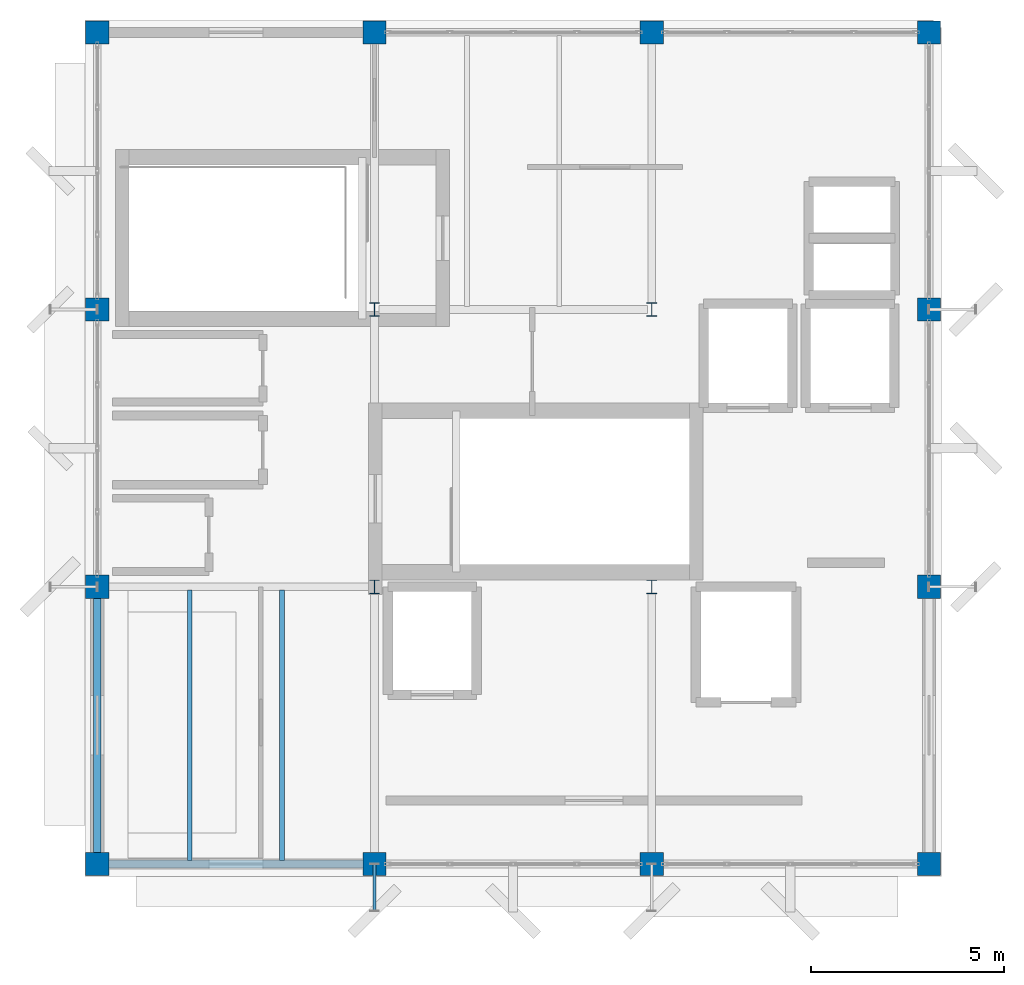
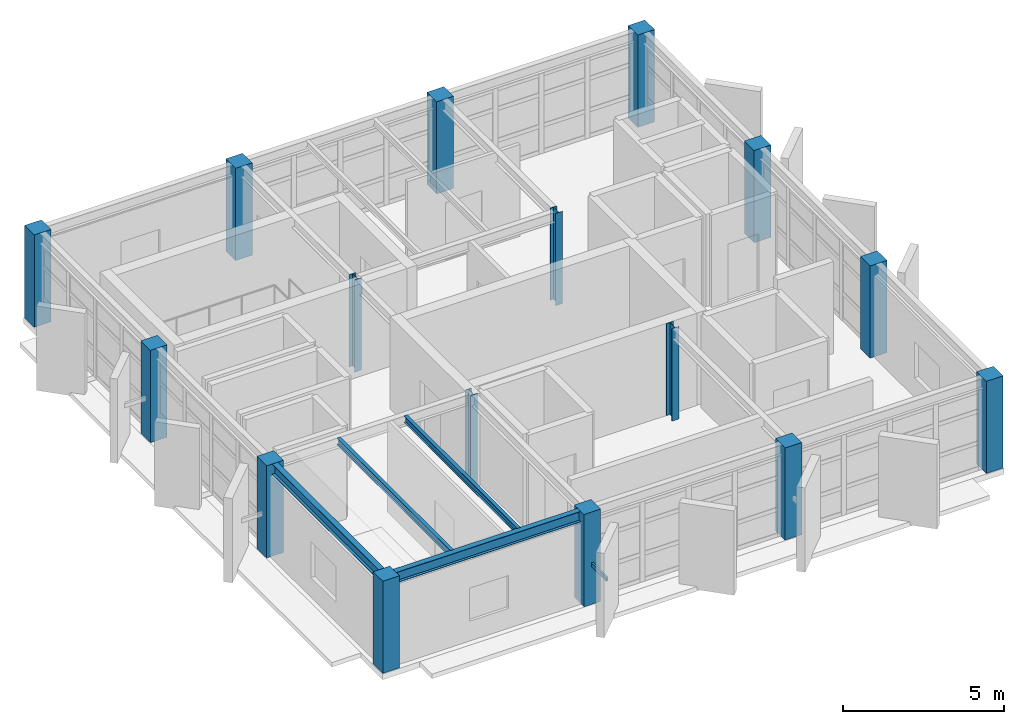
# One storey, part 1 of 13: 16 columns, 4 beams, 1 member.
"""IFC4 building model written with IfcOpenShell, lengths in metres."""

from ifc_helpers import new_model, si_unit, direction, frame, origin, origin_2d, place, context, subcontext, project, spatial, rectangle, hollow_rectangle, i_section, extrude, material, material_profile, profile_set, type_object, element, save


model = new_model("IFC4")

# Units and contexts
model_context = context("Model", 3, precision=1e-05, world=origin(), true_north=direction((0.0, 1.0)))
body_context = subcontext(model_context, "Body", "Model", "MODEL_VIEW")
ifc_project = project(units=[si_unit("LENGTHUNIT", "METRE"), si_unit("AREAUNIT", "SQUARE_METRE"), si_unit("VOLUMEUNIT", "CUBIC_METRE"), si_unit("PLANEANGLEUNIT", "RADIAN"), si_unit("MASSUNIT", "GRAM", prefix="KILO")], contexts=[model_context])

# Site, building, storey
site_placement = place(None, origin())
site = spatial("IfcSite", under=ifc_project, at=site_placement, CompositionType="ELEMENT")
building_placement = place(site_placement, origin())
building = spatial("IfcBuilding", under=site, at=building_placement, Name="Kandorven Conservatory and Botanical Research Centre", CompositionType="ELEMENT")
storey_placement = place(building_placement, frame((0.0, 0.0, 63.14990234375)))
storey = spatial("IfcBuildingStorey", under=building, at=storey_placement, Name="L16", CompositionType="ELEMENT", Elevation=63.14990234375)

# Columns
ifc_material_1 = material(Name="Steel S355 (IS 2062 E350)", Category="steel")
ifc_material_profile_1 = material_profile(ifc_material_1, i_section(OverallWidth=0.25, OverallDepth=0.35009765625, WebThickness=0.010009765625, FlangeThickness=0.01171875, at=origin_2d()))
ifc_profile_set_1 = profile_set([ifc_material_profile_1], Name="Steel S355 (IS 2062 E350)")
column_type_1 = type_object("IfcColumnType", Name="Col_SC-03", PredefinedType="COLUMN", material=ifc_profile_set_1)
for number, where, z_axis, x_axis, name in (
    (1, (13.199951171875, 13.199951171875, 0.0), (0.0, 0.0, 1.0), (1.0, 0.0, 0.0), "Column SC-03 TWR L16 (2,2)"),
    (2, (13.199951171875, 20.39990234375, 0.0), (0.0, 0.0, 1.0), (1.0, 0.0, 0.0), "Column SC-03 TWR L16 (2,3)"),
    (3, (20.39990234375, 13.199951171875, 0.0), (0.0, 0.0, 1.0), (1.0, 0.0, 0.0), "Column SC-03 TWR L16 (3,2)"),
    (4, (20.39990234375, 20.39990234375, 0.0), (0.0, 0.0, 1.0), (1.0, 0.0, 0.0), "Column SC-03 TWR L16 (3,3)"),
):
    element("IfcColumn", number, at=place(storey_placement, frame(where, z_axis=z_axis, x_axis=x_axis)), inside=storey, type_object=column_type_1, Name=name, PredefinedType="COLUMN", context=body_context, shape_type="SweptSolid", body=[
        extrude(i_section(OverallWidth=0.25, OverallDepth=0.35009765625, WebThickness=0.010009765625, FlangeThickness=0.01171875, at=origin_2d()), origin(), (0.0, 0.0, 1.0), 3.489990234375),
    ])
ifc_material_2 = material(Name="Concrete C40/50 (M50)", Category="concrete")
ifc_material_profile_2 = material_profile(ifc_material_2, rectangle(XDim=0.60009765625, YDim=0.60009765625, at=origin_2d()))
ifc_profile_set_2 = profile_set([ifc_material_profile_2], Name="Concrete C40/50 (M50)")
column_type_2 = type_object("IfcColumnType", Name="Col_TC-04", PredefinedType="COLUMN", material=ifc_profile_set_2)
for number, where, z_axis, x_axis, name in (
    (5, (6.0, 6.0, 0.0), (0.0, 0.0, 1.0), (1.0, 0.0, 0.0), "Column TC-04 TWR L16 (1,1)"),
    (6, (6.0, 13.199951171875, 0.0), (0.0, 0.0, 1.0), (1.0, 0.0, 0.0), "Column TC-04 TWR L16 (1,2)"),
    (7, (6.0, 20.39990234375, 0.0), (0.0, 0.0, 1.0), (1.0, 0.0, 0.0), "Column TC-04 TWR L16 (1,3)"),
    (8, (6.0, 27.60009765625, 0.0), (0.0, 0.0, 1.0), (1.0, 0.0, 0.0), "Column TC-04 TWR L16 (1,4)"),
    (9, (13.199951171875, 6.0, 0.0), (0.0, 0.0, 1.0), (1.0, 0.0, 0.0), "Column TC-04 TWR L16 (2,1)"),
    (10, (13.199951171875, 27.60009765625, 0.0), (0.0, 0.0, 1.0), (1.0, 0.0, 0.0), "Column TC-04 TWR L16 (2,4)"),
    (11, (20.39990234375, 6.0, 0.0), (0.0, 0.0, 1.0), (1.0, 0.0, 0.0), "Column TC-04 TWR L16 (3,1)"),
    (12, (20.39990234375, 27.60009765625, 0.0), (0.0, 0.0, 1.0), (1.0, 0.0, 0.0), "Column TC-04 TWR L16 (3,4)"),
    (13, (27.60009765625, 6.0, 0.0), (0.0, 0.0, 1.0), (1.0, 0.0, 0.0), "Column TC-04 TWR L16 (4,1)"),
    (14, (27.60009765625, 13.199951171875, 0.0), (0.0, 0.0, 1.0), (1.0, 0.0, 0.0), "Column TC-04 TWR L16 (4,2)"),
    (15, (27.60009765625, 20.39990234375, 0.0), (0.0, 0.0, 1.0), (1.0, 0.0, 0.0), "Column TC-04 TWR L16 (4,3)"),
    (16, (27.60009765625, 27.60009765625, 0.0), (0.0, 0.0, 1.0), (1.0, 0.0, 0.0), "Column TC-04 TWR L16 (4,4)"),
):
    element("IfcColumn", number, at=place(storey_placement, frame(where, z_axis=z_axis, x_axis=x_axis)), inside=storey, type_object=column_type_2, Name=name, PredefinedType="COLUMN", context=body_context, shape_type="SweptSolid", body=[
        extrude(rectangle(XDim=0.60009765625, YDim=0.60009765625, at=origin_2d()), origin(), (0.0, 0.0, 1.0), 3.489990234375),
    ])

# Beams
ifc_material_3 = material(Name="Steel S355 (IS 2062 E350)", Category="steel")
ifc_material_profile_3 = material_profile(ifc_material_3, i_section(OverallWidth=0.199951171875, OverallDepth=0.39990234375, WebThickness=0.008544921875, FlangeThickness=0.012939453125, at=origin_2d()))
ifc_profile_set_3 = profile_set([ifc_material_profile_3], Name="Steel S355 (IS 2062 E350)")
beam_type_1 = type_object("IfcBeamType", Name="Beam_FG-03", PredefinedType="USERDEFINED", material=ifc_profile_set_3)
for number, where, z_axis, x_axis, name in (
    (17, (6.2900390625, 6.0, 3.2900390625), (1.0, 0.0, 0.0), (0.0, 1.0, 0.0), "Primary girder FG-03 TWR L16"),
    (18, (6.0, 6.2900390625, 3.2900390625), (0.0, 1.0, 0.0), (-1.0, 0.0, 0.0), "Primary girder FG-03 TWR L16"),
):
    element("IfcBeam", number, at=place(storey_placement, frame(where, z_axis=z_axis, x_axis=x_axis)), inside=storey, type_object=beam_type_1, Name=name, ObjectType="GIRDER", PredefinedType="USERDEFINED", context=body_context, shape_type="SweptSolid", body=[
        extrude(i_section(OverallWidth=0.199951171875, OverallDepth=0.39990234375, WebThickness=0.008544921875, FlangeThickness=0.012939453125, at=origin_2d()), origin(), (0.0, 0.0, 1.0), 6.619873046875),
    ])
ifc_material_4 = material(Name="Steel S355 (IS 2062 E350)", Category="steel")
ifc_material_profile_4 = material_profile(ifc_material_4, i_section(OverallWidth=0.125, OverallDepth=0.25, WebThickness=0.0068359375, FlangeThickness=0.012451171875, at=origin_2d()))
ifc_profile_set_4 = profile_set([ifc_material_profile_4], Name="Steel S355 (IS 2062 E350)")
beam_type_2 = type_object("IfcBeamType", Name="Beam_RJ-01", PredefinedType="JOIST", material=ifc_profile_set_4)
for number, where, z_axis, x_axis, name in (
    (19, (8.39990234375, 6.0849609375, 3.364990234375), (0.0, 1.0, 0.0), (-1.0, 0.0, 0.0), "Composite secondary beam RJ-01 TWR L16"),
    (20, (10.800048828125, 6.0849609375, 3.364990234375), (0.0, 1.0, 0.0), (-1.0, 0.0, 0.0), "Composite secondary beam RJ-01 TWR L16"),
):
    element("IfcBeam", number, at=place(storey_placement, frame(where, z_axis=z_axis, x_axis=x_axis)), inside=storey, type_object=beam_type_2, Name=name, PredefinedType="JOIST", context=body_context, shape_type="SweptSolid", body=[
        extrude(i_section(OverallWidth=0.125, OverallDepth=0.25, WebThickness=0.0068359375, FlangeThickness=0.012451171875, at=origin_2d()), origin(), (0.0, 0.0, 1.0), 7.030029296875),
    ])

# Member
ifc_material_5 = material(Name="Steel S355 (IS 2062 E350)", Category="steel")
ifc_material_profile_5 = material_profile(ifc_material_5, hollow_rectangle(XDim=0.074951171875, YDim=0.14990234375, WallThickness=0.006103515625, at=origin_2d()))
ifc_profile_set_5 = profile_set([ifc_material_profile_5], Name="Steel S355 (IS 2062 E350)")
member_type = type_object("IfcMemberType", Name="Mem_SF-01", PredefinedType="STRUT", material=ifc_profile_set_5)
member_placement = place(storey_placement, frame((13.199951171875, 6.0, 1.5), z_axis=(0.0, -1.0, 0.0), x_axis=(1.0, 0.0, 0.0)))
element("IfcMember", 21, at=member_placement, inside=storey, type_object=member_type, Name="Solar fin steel outrigger strut SF-01 #145", PredefinedType="STRUT", context=body_context, shape_type="SweptSolid", body=[
    extrude(hollow_rectangle(XDim=0.074951171875, YDim=0.14990234375, WallThickness=0.006103515625, at=origin_2d()), origin(), (0.0, 0.0, 1.0), 1.219970703125),
])

save(model, "model.ifc")
